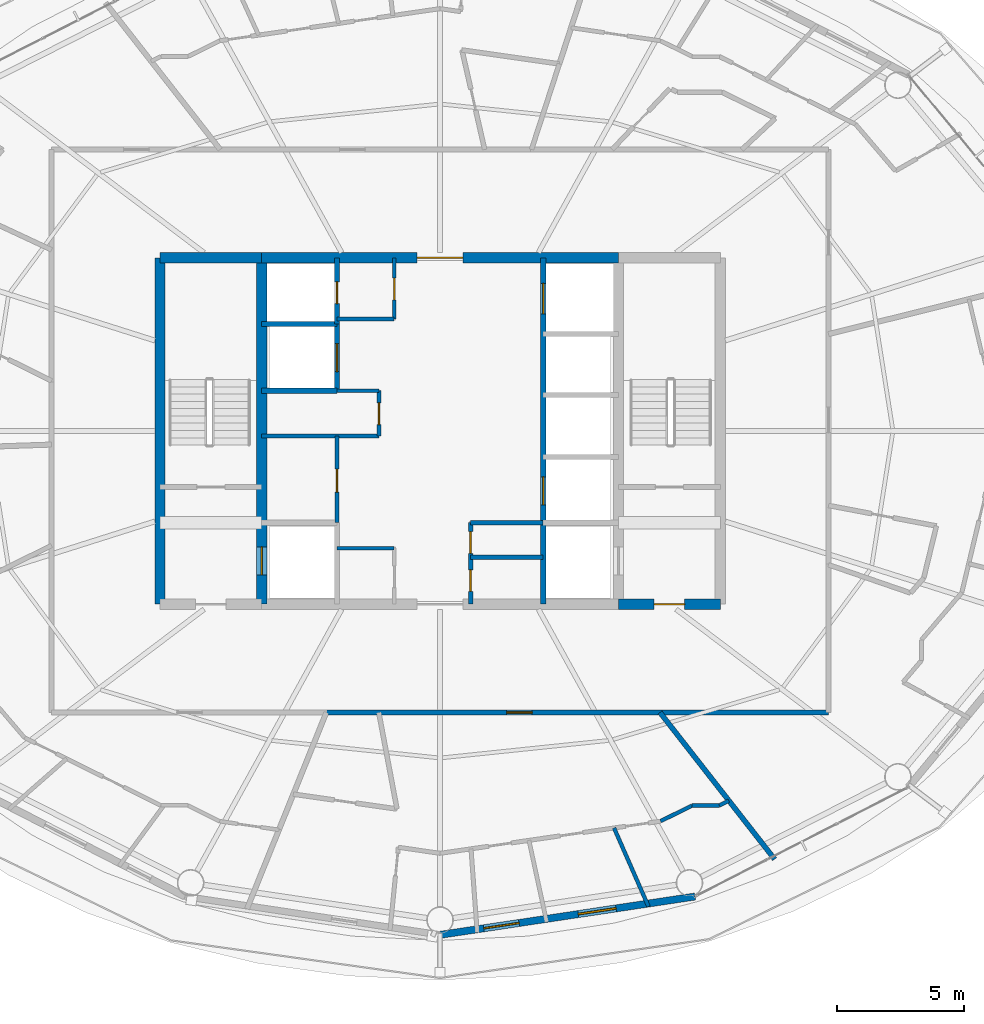
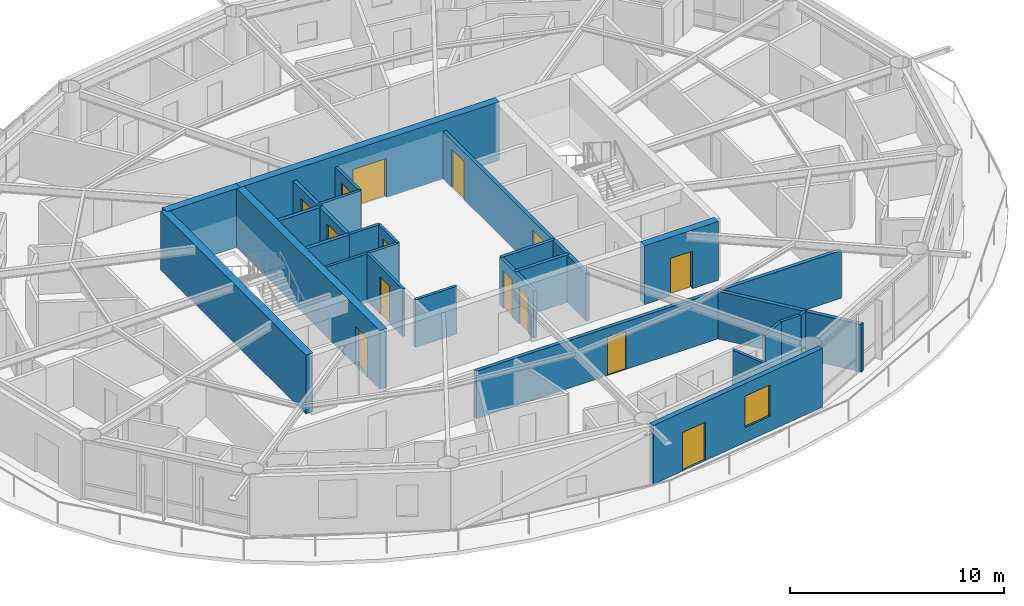
# One storey, part 17 of 23: 28 walls, 14 doors, 1 window, 15 openings.
"""IFC4 building model written with IfcOpenShell, lengths in metres."""

import ifcopenshell
import ifcopenshell.guid

model = None  # the IFC model being written
_history = None  # IfcOwnerHistory: only IFC2X3 demands one
_inside = {}  # id of a spatial element -> (the spatial element, [elements in it])
_under = {}  # id of a project, library or spatial element -> (it, [spatial elements below it])
_declared = {}  # id of a project -> (the project, [libraries it declares])
_typed = {}  # id of a type object -> (the type object, [elements of that type])
_made_of = {}  # id of a material, layer set ... -> (it, [elements and type objects made of it])


def new_model(schema):
    """Start an empty IFC model of exactly this schema.

    Asked for "IFC4X3", IfcOpenShell would pick the latest addendum, in which some entities
    have other attributes; the version numbers below select the first issue.
    IFC2X3 requires an IfcOwnerHistory on every rooted entity: one is made here for all.
    """
    global model, _history
    if schema == "IFC4X3":
        model = ifcopenshell.file(schema_version=(4, 3, 0, 0))
    else:
        model = ifcopenshell.file(schema=schema)
    _inside.clear()
    _under.clear()
    _declared.clear()
    _typed.clear()
    _made_of.clear()
    _history = None
    if model.schema == "IFC2X3":
        org = make("IfcOrganization", Name="unknown")
        user = make(
            "IfcPersonAndOrganization",
            ThePerson=make("IfcPerson", FamilyName="unknown"),
            TheOrganization=org,
        )
        app = make(
            "IfcApplication",
            ApplicationDeveloper=org,
            Version="unknown",
            ApplicationFullName="unknown",
            ApplicationIdentifier="unknown",
        )
        _history = make(
            "IfcOwnerHistory",
            OwningUser=user,
            OwningApplication=app,
            ChangeAction="ADDED",
            CreationDate=0,
        )
    return model


def make(cls, **values):
    """One entity of the class cls with the attributes given. An attribute that is None is left unset."""
    return model.create_entity(
        cls, **{name: value for name, value in values.items() if value is not None}
    )


def rooted(cls, **values):
    """An entity with a GlobalId (a new one), such as an element, a storey or a relation."""
    return make(cls, GlobalId=ifcopenshell.guid.new(), OwnerHistory=_history, **values)


def si_unit(unit_type, name, prefix=None):
    """IfcSIUnit, for example si_unit("LENGTHUNIT", "METRE", prefix="MILLI")."""
    return make("IfcSIUnit", UnitType=unit_type, Prefix=prefix, Name=name)


def assignment(units):
    """IfcUnitAssignment: the units of a project."""
    return None if units is None else make("IfcUnitAssignment", Units=units)


def point(xyz):
    """IfcCartesianPoint."""
    return None if xyz is None else make("IfcCartesianPoint", Coordinates=xyz)


def direction(xyz):
    """IfcDirection."""
    return None if xyz is None else make("IfcDirection", DirectionRatios=xyz)


def frame(location, z_axis=None, x_axis=None):
    """IfcAxis2Placement3D, a coordinate frame: its origin and axes. An axis left out is left unset."""
    return make(
        "IfcAxis2Placement3D",
        Location=point(location),
        Axis=direction(z_axis),
        RefDirection=direction(x_axis),
    )


def frame_2d(location, x_axis=None):
    """IfcAxis2Placement2D, a coordinate frame in the plane: its origin and x axis."""
    return make(
        "IfcAxis2Placement2D", Location=point(location), RefDirection=direction(x_axis)
    )


def origin():
    """The frame at (0, 0, 0) with its axes left unset."""
    return frame((0.0, 0.0, 0.0))


def place(relative_to, where):
    """IfcLocalPlacement: puts the frame where relative to a parent placement (None: the world)."""
    return make(
        "IfcLocalPlacement", PlacementRelTo=relative_to, RelativePlacement=where
    )


def context(
    kind, dimensions, precision=None, world=None, true_north=None, identifier=None
):
    """IfcGeometricRepresentationContext, for example the 3D "Model" context."""
    return make(
        "IfcGeometricRepresentationContext",
        ContextIdentifier=identifier,
        ContextType=kind,
        CoordinateSpaceDimension=dimensions,
        Precision=precision,
        WorldCoordinateSystem=world,
        TrueNorth=true_north,
    )


def subcontext(parent, identifier, kind, view, scale=None):
    """IfcGeometricRepresentationSubContext, for example "Body" below "Model"."""
    return make(
        "IfcGeometricRepresentationSubContext",
        ContextIdentifier=identifier,
        ContextType=kind,
        ParentContext=parent,
        TargetScale=scale,
        TargetView=view,
    )


def project(units=None, contexts=None):
    """IfcProject with its units and contexts."""
    return rooted(
        "IfcProject",
        Name="project",
        RepresentationContexts=contexts,
        UnitsInContext=assignment(units),
    )


def spatial(cls, under=None, at=None, **own):
    """A site, building, storey or space (cls), placed at a placement, below another one or the project."""
    s = rooted(cls, ObjectPlacement=at, **own)
    if under is not None:
        _under.setdefault(under.id(), (under, []))[1].append(s)
    return s


def profile(cls, at=None, kind="AREA", **sizes):
    """A parametric profile (cls). Its sizes go by their IFC names, for example OverallWidth=200.0."""
    return make(cls, ProfileType=kind, Position=at, **sizes)


def rectangle(**sizes):
    """IfcRectangleProfileDef."""
    return profile("IfcRectangleProfileDef", **sizes)


def extrude(swept, where, along, depth):
    """IfcExtrudedAreaSolid: the profile swept, set in the frame where, extruded along a direction by depth."""
    return make(
        "IfcExtrudedAreaSolid",
        SweptArea=swept,
        Position=where,
        ExtrudedDirection=direction(along),
        Depth=depth,
    )


def shape(context_of_items, identifier, shape_type, items):
    """IfcShapeRepresentation: the items that make up one representation, for example the "Body"."""
    return make(
        "IfcShapeRepresentation",
        ContextOfItems=context_of_items,
        RepresentationIdentifier=identifier,
        RepresentationType=shape_type,
        Items=items,
    )


def material(Name=None, Category=None):
    """IfcMaterial."""
    return make("IfcMaterial", Name=Name, Category=Category)


def layer(
    of_material, thickness, ventilated=None, Name=None, Category=None, Priority=None
):
    """IfcMaterialLayer: one layer of a wall or slab, of a material (None: an air gap)."""
    return make(
        "IfcMaterialLayer",
        Material=of_material,
        LayerThickness=thickness,
        IsVentilated=ventilated,
        Name=Name,
        Category=Category,
        Priority=Priority,
    )


def layer_set(layers, Name=None):
    """IfcMaterialLayerSet."""
    return make("IfcMaterialLayerSet", MaterialLayers=layers, LayerSetName=Name)


def made_of(thing, what):
    """Note that an element or type object is made of a material, layer set ...; save() writes the relation."""
    if what is not None:
        _made_of.setdefault(what.id(), (what, []))[1].append(thing)
    return thing


def type_object(cls, material=None, **own):
    """A type object (cls), such as IfcWallType, which elements share."""
    return made_of(rooted(cls, **own), material)


def element(
    cls,
    number,
    at=None,
    inside=None,
    cuts=None,
    type_object=None,
    material=None,
    context=None,
    identifier="Body",
    shape_type=None,
    held_by="IfcProductDefinitionShape",
    body=None,
    shapes=None,
    **own,
):
    """One element of the class cls, such as IfcWall. Its Tag is "e" and its number.

    at: its placement. inside: the storey or other place that contains it. cuts: it is an
    opening in that element (IfcRelVoidsElement). A single representation is given by context,
    identifier, shape_type and body (its items); several are given by shapes. held_by: the class
    of the entity that holds the representations. save() writes the other relations.
    """
    e = rooted(cls, Tag="e%d" % number, ObjectPlacement=at, **own)
    if body is not None:
        shapes = [shape(context, identifier, shape_type, body)]
    if shapes is not None:
        e.Representation = make(held_by, Representations=shapes)
    if inside is not None:
        _inside.setdefault(inside.id(), (inside, []))[1].append(e)
    if cuts is not None:
        rooted(
            "IfcRelVoidsElement", RelatingBuildingElement=cuts, RelatedOpeningElement=e
        )
    if type_object is not None:
        _typed.setdefault(type_object.id(), (type_object, []))[1].append(e)
    return made_of(e, material)


def fill(opening, filler):
    """IfcRelFillsElement: the door or window that sits in an opening."""
    return rooted(
        "IfcRelFillsElement",
        RelatingOpeningElement=opening,
        RelatedBuildingElement=filler,
    )


def aggregate(whole, parts):
    """IfcRelAggregates: a whole, such as a stair, and the parts it consists of."""
    return rooted("IfcRelAggregates", RelatingObject=whole, RelatedObjects=parts)


def save(model, path):
    """Write the relations noted so far, then the file.

    IfcRelAggregates (storeys below a building ...), IfcRelContainedInSpatialStructure (elements
    in a storey), IfcRelDefinesByType, IfcRelAssociatesMaterial and IfcRelDeclares: one each for
    every whole, place, type object, material and project.
    """
    for whole, parts in _under.values():
        aggregate(whole, parts)
    for where, things in _inside.values():
        rooted(
            "IfcRelContainedInSpatialStructure",
            RelatedElements=things,
            RelatingStructure=where,
        )
    for kind, things in _typed.values():
        rooted("IfcRelDefinesByType", RelatedObjects=things, RelatingType=kind)
    for what, things in _made_of.values():
        rooted("IfcRelAssociatesMaterial", RelatedObjects=things, RelatingMaterial=what)
    for by, libraries in _declared.values():
        rooted("IfcRelDeclares", RelatingContext=by, RelatedDefinitions=libraries)
    model.write(path)


model = new_model("IFC4")

# Units and contexts
model_context = context("Model", 3, precision=1e-05, world=origin(), true_north=direction((0.0, 1.0)))
body_context = subcontext(model_context, "Body", "Model", "MODEL_VIEW")
ifc_project = project(units=[si_unit("LENGTHUNIT", "METRE"), si_unit("AREAUNIT", "SQUARE_METRE"), si_unit("VOLUMEUNIT", "CUBIC_METRE"), si_unit("PLANEANGLEUNIT", "RADIAN"), si_unit("MASSUNIT", "GRAM", prefix="KILO")], contexts=[model_context])

# Site, building, storey
site_placement = place(None, origin())
site = spatial("IfcSite", under=ifc_project, at=site_placement, CompositionType="ELEMENT")
building_placement = place(site_placement, origin())
building = spatial("IfcBuilding", under=site, at=building_placement, Name="Sarneth Arch Tower", CompositionType="ELEMENT")
storey_placement = place(building_placement, frame((0.0, 0.0, 242.39990234375)))
storey = spatial("IfcBuildingStorey", under=building, at=storey_placement, Name="L62", CompositionType="ELEMENT", Elevation=242.39990234375)

# Wall, opening, door
ifc_material_1 = material(Name="Concrete C50/60", Category="concrete")
ifc_layer_1 = layer(ifc_material_1, 0.39990234375)
ifc_layer_set_1 = layer_set([ifc_layer_1], Name="Concrete C50/60")
wall_type_1 = type_object("IfcWallType", Name="WALL-CORE-400", PredefinedType="SHEAR", material=ifc_layer_set_1)
wall_1_placement = place(storey_placement, frame((55.0, 35.199951171875, 0.0), z_axis=(0.0, 0.0, 1.0), x_axis=(1.0, 0.0, 0.0)))
wall_1 = element("IfcWall", 1, at=wall_1_placement, inside=storey, type_object=wall_type_1, Name="L62 Core shear wall S-E", PredefinedType="SHEAR", context=body_context, shape_type="SweptSolid", body=[
    extrude(rectangle(XDim=4.0, YDim=0.39990234375, at=frame_2d((2.0, 0.0))), origin(), (0.0, 0.0, 1.0), 3.360107421875),
])
opening_1_placement = place(wall_1_placement, frame((1.39990234375, 0.0, 0.0)))
opening_1 = element("IfcOpeningElement", 2, at=opening_1_placement, cuts=wall_1, Name="Opening FD-02", PredefinedType="OPENING", context=body_context, shape_type="SweptSolid", body=[
    extrude(rectangle(XDim=1.199951171875, YDim=2.14990234375, at=frame_2d((0.60009765625, 1.074951171875))), frame((0.0, 0.2099609375, 0.0), z_axis=(0.0, -1.0, 0.0), x_axis=(1.0, 0.0, 0.0)), (0.0, 0.0, 1.0), 0.419921875),
])
ifc_material_2 = material(Name="Galvanised Steel S275 fire door set", Category="steel")
door_type_1 = type_object("IfcDoorType", Name="DR-FD90-1200", OperationType="SINGLE_SWING_LEFT", PredefinedType="DOOR", material=ifc_material_2)
door_1_placement = place(opening_1_placement, origin())
door_1 = element("IfcDoor", 3, at=door_1_placement, inside=storey, type_object=door_type_1, Name="L62 Firefighting lobby 2 exit door", OperationType="SINGLE_SWING_RIGHT", OverallHeight=2.14990234375, OverallWidth=1.199951171875, PredefinedType="DOOR", context=body_context, shape_type="SweptSolid", body=[
    extrude(rectangle(XDim=1.199951171875, YDim=2.14990234375, at=frame_2d((0.60009765625, 1.074951171875))), frame((0.0, 0.02490234375, 0.0), z_axis=(0.0, -1.0, 0.0), x_axis=(1.0, 0.0, 0.0)), (0.0, 0.0, 1.0), 0.050048828125),
])
fill(opening_1, door_1)

# Wall
wall_2_placement = place(storey_placement, frame((37.0, 48.800048828125, 0.0), z_axis=(0.0, 0.0, 1.0), x_axis=(1.0, 0.0, 0.0)))
element("IfcWall", 4, at=wall_2_placement, inside=storey, type_object=wall_type_1, Name="L62 Core shear wall N-W", PredefinedType="SHEAR", context=body_context, shape_type="SweptSolid", body=[
    extrude(rectangle(XDim=4.0, YDim=0.39990234375, at=frame_2d((2.0, 0.0))), origin(), (0.0, 0.0, 1.0), 3.360107421875),
])

# Wall, opening, door
wall_3_placement = place(storey_placement, frame((41.0, 48.800048828125, 0.0), z_axis=(0.0, 0.0, 1.0), x_axis=(1.0, 0.0, 0.0)))
wall_3 = element("IfcWall", 5, at=wall_3_placement, inside=storey, type_object=wall_type_1, Name="L62 Core shear wall N-M", PredefinedType="SHEAR", context=body_context, shape_type="SweptSolid", body=[
    extrude(rectangle(XDim=14.0, YDim=0.39990234375, at=frame_2d((7.0, 0.0))), origin(), (0.0, 0.0, 1.0), 3.360107421875),
])
opening_2_placement = place(wall_3_placement, frame((6.10009765625, 0.0, 0.0)))
opening_2 = element("IfcOpeningElement", 6, at=opening_2_placement, cuts=wall_3, Name="Opening FD-01", PredefinedType="OPENING", context=body_context, shape_type="SweptSolid", body=[
    extrude(rectangle(XDim=1.800048828125, YDim=2.25, at=frame_2d((0.89990234375, 1.125))), frame((0.0, 0.2099609375, 0.0), z_axis=(0.0, -1.0, 0.0), x_axis=(1.0, 0.0, 0.0)), (0.0, 0.0, 1.0), 0.419921875),
])
ifc_material_3 = material(Name="Galvanised Steel S275 fire door set", Category="steel")
door_type_2 = type_object("IfcDoorType", Name="DR-FD90-1800", OperationType="DOUBLE_DOOR_SINGLE_SWING", PredefinedType="DOOR", material=ifc_material_3)
door_2_placement = place(opening_2_placement, origin())
door_2 = element("IfcDoor", 7, at=door_2_placement, inside=storey, type_object=door_type_2, Name="L62 Central lift lobby north door", OperationType="DOUBLE_DOOR_SINGLE_SWING", OverallHeight=2.25, OverallWidth=1.800048828125, PredefinedType="DOOR", context=body_context, shape_type="SweptSolid", body=[
    extrude(rectangle(XDim=1.800048828125, YDim=2.25, at=frame_2d((0.89990234375, 1.125))), frame((0.0, 0.02490234375, 0.0), z_axis=(0.0, -1.0, 0.0), x_axis=(1.0, 0.0, 0.0)), (0.0, 0.0, 1.0), 0.050048828125),
])
fill(opening_2, door_2)

# Wall
wall_4_placement = place(storey_placement, frame((37.0, 35.199951171875, 0.0), z_axis=(0.0, 0.0, 1.0), x_axis=(0.0, 1.0, 0.0)))
element("IfcWall", 8, at=wall_4_placement, inside=storey, type_object=wall_type_1, Name="L62 Core shear wall W", PredefinedType="SHEAR", context=body_context, shape_type="SweptSolid", body=[
    extrude(rectangle(XDim=13.60009765625, YDim=0.39990234375, at=frame_2d((6.800048828125, 0.0))), origin(), (0.0, 0.0, 1.0), 3.360107421875),
])

# Wall, opening, door
wall_5_placement = place(storey_placement, frame((41.0, 35.199951171875, 0.0), z_axis=(0.0, 0.0, 1.0), x_axis=(0.0, 1.0, 0.0)))
wall_5 = element("IfcWall", 9, at=wall_5_placement, inside=storey, type_object=wall_type_1, Name="L62 Core shear wall WEB-W", PredefinedType="SHEAR", context=body_context, shape_type="SweptSolid", body=[
    extrude(rectangle(XDim=13.60009765625, YDim=0.39990234375, at=frame_2d((6.800048828125, 0.0))), origin(), (0.0, 0.0, 1.0), 3.360107421875),
])
opening_3_placement = place(wall_5_placement, frame((1.14990234375, 0.0, 0.0)))
opening_3 = element("IfcOpeningElement", 10, at=opening_3_placement, cuts=wall_5, Name="Opening LD-1", PredefinedType="OPENING", context=body_context, shape_type="SweptSolid", body=[
    extrude(rectangle(XDim=1.10009765625, YDim=2.199951171875, at=frame_2d((0.550048828125, 1.10009765625))), frame((0.0, 0.2099609375, 0.0), z_axis=(0.0, -1.0, 0.0), x_axis=(1.0, 0.0, 0.0)), (0.0, 0.0, 1.0), 0.419921875),
])
ifc_material_4 = material(Name="Brushed Stainless Steel 304 lift landing door", Category="steel")
door_type_3 = type_object("IfcDoorType", Name="DR-LIFT-SLIDE-1100", OperationType="SLIDING_TO_LEFT", PredefinedType="DOOR", material=ifc_material_4)
door_3_placement = place(opening_3_placement, origin())
door_3 = element("IfcDoor", 11, at=door_3_placement, inside=storey, type_object=door_type_3, Name="L62 Firefighting lift landing door FL-1", OperationType="SLIDING_TO_LEFT", OverallHeight=2.199951171875, OverallWidth=1.10009765625, PredefinedType="DOOR", context=body_context, shape_type="SweptSolid", body=[
    extrude(rectangle(XDim=1.10009765625, YDim=2.199951171875, at=frame_2d((0.550048828125, 1.10009765625))), frame((0.0, 0.02490234375, 0.0), z_axis=(0.0, -1.0, 0.0), x_axis=(1.0, 0.0, 0.0)), (0.0, 0.0, 1.0), 0.050048828125),
])
fill(opening_3, door_3)

ifc_material_5 = material(Name="Double steel-stud corridor fire wall", Category="steel")
ifc_layer_2 = layer(ifc_material_5, 0.18994140625)
ifc_layer_set_2 = layer_set([ifc_layer_2], Name="Double steel-stud corridor fire wall")
wall_type_2 = type_object("IfcWallType", Name="WALL-CORR-190", PredefinedType="PARTITIONING", material=ifc_layer_set_2)
wall_6_placement = place(storey_placement, frame((63.25, 30.949951171875, 0.0), z_axis=(0.0, 0.0, 1.0), x_axis=(-1.0, 0.0, 0.0)))
wall_6 = element("IfcWall", 12, at=wall_6_placement, inside=storey, type_object=wall_type_2, Name="L62 Interior partition W-L62-TP-014", PredefinedType="PARTITIONING", context=body_context, shape_type="SweptSolid", body=[
    extrude(rectangle(XDim=19.714599609375, YDim=0.18994140625, at=frame_2d((9.857421875, 0.0))), origin(), (0.0, 0.0, 1.0), 2.72021484375),
])
opening_4_placement = place(wall_6_placement, frame((11.63232421875, 0.0, 0.0)))
opening_4 = element("IfcOpeningElement", 13, at=opening_4_placement, cuts=wall_6, Name="Opening FD-08", PredefinedType="OPENING", context=body_context, shape_type="SweptSolid", body=[
    extrude(rectangle(XDim=1.0, YDim=2.199951171875, at=frame_2d((0.5, 1.10009765625))), frame((0.0, 0.10498046875, 0.0), z_axis=(0.0, -1.0, 0.0), x_axis=(1.0, 0.0, 0.0)), (0.0, 0.0, 1.0), 0.2099609375),
])
ifc_material_6 = material(Name="Hardwood timber acoustic fire door", Category="wood")
door_type_4 = type_object("IfcDoorType", Name="DR-FD60-1000", OperationType="SINGLE_SWING_LEFT", PredefinedType="DOOR", material=ifc_material_6)
door_4_placement = place(opening_4_placement, origin())
door_4 = element("IfcDoor", 14, at=door_4_placement, inside=storey, type_object=door_type_4, Name="L62 Interior door DR-L62-U5-ENT", OperationType="SINGLE_SWING_RIGHT", OverallHeight=2.199951171875, OverallWidth=1.0, PredefinedType="DOOR", context=body_context, shape_type="SweptSolid", body=[
    extrude(rectangle(XDim=1.0, YDim=2.199951171875, at=frame_2d((0.5, 1.10009765625))), frame((0.0, 0.02490234375, 0.0), z_axis=(0.0, -1.0, 0.0), x_axis=(1.0, 0.0, 0.0)), (0.0, 0.0, 1.0), 0.050048828125),
])
fill(opening_4, door_4)

# Wall, openings, door, window
ifc_material_7 = material(Name="Extruded terracotta rainscreen on Concrete C40/50 backing", Category="masonry")
ifc_layer_3 = layer(ifc_material_7, 0.280029296875)
ifc_layer_set_3 = layer_set([ifc_layer_3], Name="Extruded terracotta rainscreen on Concrete C40/50 backing")
wall_type_3 = type_object("IfcWallType", Name="WALL-EXT-TERRA-280", PredefinedType="SOLIDWALL", material=ifc_layer_set_3)
wall_7_placement = place(storey_placement, frame((48.0, 22.219970703125, 0.0), z_axis=(0.0, 0.0, 1.0), x_axis=(0.988882522213, 0.148698881169, 0.0)))
wall_7 = element("IfcWall", 15, at=wall_7_placement, inside=storey, type_object=wall_type_3, Name="L62 Terracotta perimeter wall 13", PredefinedType="SOLIDWALL", context=body_context, shape_type="SweptSolid", body=[
    extrude(rectangle(XDim=10.125244140625, YDim=0.280029296875, at=frame_2d((5.0625, 0.0))), origin(), (0.0, 0.0, 1.0), 3.360107421875),
])
opening_5_placement = place(wall_7_placement, frame((1.73583984375, 0.0, 0.0)))
opening_5 = element("IfcOpeningElement", 16, at=opening_5_placement, cuts=wall_7, Name="Opening BD-2", PredefinedType="OPENING", context=body_context, shape_type="SweptSolid", body=[
    extrude(rectangle(XDim=1.39990234375, YDim=2.199951171875, at=frame_2d((0.699951171875, 1.10009765625))), frame((0.0, 0.14990234375, 0.0), z_axis=(0.0, -1.0, 0.0), x_axis=(1.0, 0.0, 0.0)), (0.0, 0.0, 1.0), 0.300048828125),
])
opening_6_placement = place(wall_7_placement, frame((5.485107421875, 0.0, 0.85009765625)))
opening_6 = element("IfcOpeningElement", 17, at=opening_6_placement, cuts=wall_7, Name="Opening W-07", PredefinedType="OPENING", context=body_context, shape_type="SweptSolid", body=[
    extrude(rectangle(XDim=1.5, YDim=1.800048828125, at=frame_2d((0.75, 0.89990234375))), frame((0.0, 0.14990234375, 0.0), z_axis=(0.0, -1.0, 0.0), x_axis=(1.0, 0.0, 0.0)), (0.0, 0.0, 1.0), 0.300048828125),
])
ifc_material_8 = material(Name="Thermally broken Aluminium 6063-T6 and laminated safety glass", Category="aluminium")
door_type_5 = type_object("IfcDoorType", Name="DR-BALC-GLZ-1400", OperationType="SINGLE_SWING_LEFT", PredefinedType="DOOR", material=ifc_material_8)
door_5_placement = place(opening_5_placement, origin())
door_5 = element("IfcDoor", 18, at=door_5_placement, inside=storey, type_object=door_type_5, Name="L62 Balcony glazed door 13", OperationType="SINGLE_SWING_LEFT", OverallHeight=2.199951171875, OverallWidth=1.39990234375, PredefinedType="DOOR", context=body_context, shape_type="SweptSolid", body=[
    extrude(rectangle(XDim=1.39990234375, YDim=2.199951171875, at=frame_2d((0.699951171875, 1.10009765625))), frame((0.0, 0.02490234375, 0.0), z_axis=(0.0, -1.0, 0.0), x_axis=(1.0, 0.0, 0.0)), (0.0, 0.0, 1.0), 0.050048828125),
])
fill(opening_5, door_5)
ifc_material_9 = material(Name="Thermally broken Aluminium 6063-T6 and low-e laminated IGU", Category="aluminium")
window_type = type_object("IfcWindowType", Name="WIN-TWR-1500x1800", PartitioningType="SINGLE_PANEL", PredefinedType="WINDOW", material=ifc_material_9)
window_placement = place(opening_6_placement, origin())
window = element("IfcWindow", 19, at=window_placement, inside=storey, type_object=window_type, Name="L62 Exterior window 13A", OverallHeight=1.800048828125, OverallWidth=1.5, PartitioningType="SINGLE_PANEL", PredefinedType="WINDOW", context=body_context, shape_type="SweptSolid", body=[
    extrude(rectangle(XDim=1.5, YDim=1.800048828125, at=frame_2d((0.75, 0.89990234375))), frame((0.0, 0.030029296875, 0.0), z_axis=(0.0, -1.0, 0.0), x_axis=(1.0, 0.0, 0.0)), (0.0, 0.0, 1.0), 0.06005859375),
])
fill(opening_6, window)

# Wall, opening, door
ifc_material_10 = material(Name="Acoustic gypsum stud partition", Category="gypsum")
ifc_layer_4 = layer(ifc_material_10, 0.14990234375)
ifc_layer_set_4 = layer_set([ifc_layer_4], Name="Acoustic gypsum stud partition")
wall_type_4 = type_object("IfcWallType", Name="WALL-PART-150", PredefinedType="PARTITIONING", material=ifc_layer_set_4)
wall_8_placement = place(storey_placement, frame((43.949951171875, 38.39990234375, 0.0), z_axis=(0.0, 0.0, 1.0), x_axis=(0.0, 1.0, 0.0)))
wall_8 = element("IfcWall", 20, at=wall_8_placement, inside=storey, type_object=wall_type_4, Name="L62 Interior partition W-L62-RECPL-E1", PredefinedType="PARTITIONING", context=body_context, shape_type="SweptSolid", body=[
    extrude(rectangle(XDim=3.400146484375, YDim=0.14990234375, at=frame_2d((1.7001953125, 0.0))), origin(), (0.0, 0.0, 1.0), 2.72021484375),
])
opening_7_placement = place(wall_8_placement, frame((1.199951171875, 0.0, 0.0)))
opening_7 = element("IfcOpeningElement", 21, at=opening_7_placement, cuts=wall_8, Name="Opening FD-10", PredefinedType="OPENING", context=body_context, shape_type="SweptSolid", body=[
    extrude(rectangle(XDim=0.89990234375, YDim=2.14990234375, at=frame_2d((0.449951171875, 1.074951171875))), frame((0.0, 0.0849609375, 0.0), z_axis=(0.0, -1.0, 0.0), x_axis=(1.0, 0.0, 0.0)), (0.0, 0.0, 1.0), 0.169921875),
])
ifc_material_11 = material(Name="Galvanised Steel S275 riser/service fire door", Category="steel")
door_type_6 = type_object("IfcDoorType", Name="DR-FD60-900", OperationType="SINGLE_SWING_LEFT", PredefinedType="DOOR", material=ifc_material_11)
door_6_placement = place(opening_7_placement, origin())
door_6 = element("IfcDoor", 22, at=door_6_placement, inside=storey, type_object=door_type_6, Name="L62 Interior door DR-L62-RECPL1", OperationType="SINGLE_SWING_LEFT", OverallHeight=2.14990234375, OverallWidth=0.89990234375, PredefinedType="DOOR", context=body_context, shape_type="SweptSolid", body=[
    extrude(rectangle(XDim=0.89990234375, YDim=2.14990234375, at=frame_2d((0.449951171875, 1.074951171875))), frame((0.0, 0.02490234375, 0.0), z_axis=(0.0, -1.0, 0.0), x_axis=(1.0, 0.0, 0.0)), (0.0, 0.0, 1.0), 0.050048828125),
])
fill(opening_7, door_6)

# Walls
wall_9_placement = place(storey_placement, frame((41.0, 41.800048828125, 0.0), z_axis=(0.0, 0.0, 1.0), x_axis=(1.0, 0.0, 0.0)))
element("IfcWall", 23, at=wall_9_placement, inside=storey, type_object=wall_type_4, Name="L62 Interior partition W-L62-RECPL-S2", PredefinedType="PARTITIONING", context=body_context, shape_type="SweptSolid", body=[
    extrude(rectangle(XDim=4.60009765625, YDim=0.14990234375, at=frame_2d((2.300048828125, 0.0))), origin(), (0.0, 0.0, 1.0), 2.72021484375),
])
wall_10_placement = place(storey_placement, frame((43.949951171875, 43.580078125, 0.0), z_axis=(0.0, 0.0, 1.0), x_axis=(1.0, 0.0, 0.0)))
element("IfcWall", 24, at=wall_10_placement, inside=storey, type_object=wall_type_4, Name="L62 Interior partition W-L62-RECPL-N2", PredefinedType="PARTITIONING", context=body_context, shape_type="SweptSolid", body=[
    extrude(rectangle(XDim=1.650146484375, YDim=0.14990234375, at=frame_2d((0.8251953125, 0.0))), origin(), (0.0, 0.0, 1.0), 2.72021484375),
])

# Wall, opening, door
wall_11_placement = place(storey_placement, frame((45.60009765625, 41.800048828125, 0.0), z_axis=(0.0, 0.0, 1.0), x_axis=(0.0, 1.0, 0.0)))
wall_11 = element("IfcWall", 25, at=wall_11_placement, inside=storey, type_object=wall_type_4, Name="L62 Interior partition W-L62-RECPL-E2", PredefinedType="PARTITIONING", context=body_context, shape_type="SweptSolid", body=[
    extrude(rectangle(XDim=1.780029296875, YDim=0.14990234375, at=frame_2d((0.89013671875, 0.0))), origin(), (0.0, 0.0, 1.0), 2.72021484375),
])
opening_8_placement = place(wall_11_placement, frame((0.449951171875, 0.0, 0.0)))
opening_8 = element("IfcOpeningElement", 26, at=opening_8_placement, cuts=wall_11, Name="Opening FD-11", PredefinedType="OPENING", context=body_context, shape_type="SweptSolid", body=[
    extrude(rectangle(XDim=0.85009765625, YDim=2.14990234375, at=frame_2d((0.425048828125, 1.074951171875))), frame((0.0, 0.0849609375, 0.0), z_axis=(0.0, -1.0, 0.0), x_axis=(1.0, 0.0, 0.0)), (0.0, 0.0, 1.0), 0.169921875),
])
ifc_material_12 = material(Name="Galvanised Steel S275 closet fire door", Category="steel")
door_type_7 = type_object("IfcDoorType", Name="DR-FD60-850", OperationType="SINGLE_SWING_LEFT", PredefinedType="DOOR", material=ifc_material_12)
door_7_placement = place(opening_8_placement, origin())
door_7 = element("IfcDoor", 27, at=door_7_placement, inside=storey, type_object=door_type_7, Name="L62 Interior door DR-L62-RECPL2", OperationType="SINGLE_SWING_RIGHT", OverallHeight=2.14990234375, OverallWidth=0.85009765625, PredefinedType="DOOR", context=body_context, shape_type="SweptSolid", body=[
    extrude(rectangle(XDim=0.85009765625, YDim=2.14990234375, at=frame_2d((0.425048828125, 1.074951171875))), frame((0.0, 0.02490234375, 0.0), z_axis=(0.0, -1.0, 0.0), x_axis=(1.0, 0.0, 0.0)), (0.0, 0.0, 1.0), 0.050048828125),
])
fill(opening_8, door_7)

# Walls
for number, where, z_axis, x_axis, name in (
    (28, (43.949951171875, 37.39990234375, 0.0), (0.0, 0.0, 1.0), (1.0, 0.0, 0.0), "L62 Interior partition W-L62-CSUP1-N"),
    (29, (43.949951171875, 46.39990234375, 0.0), (0.0, 0.0, 1.0), (1.0, 0.0, 0.0), "L62 Interior partition W-L62-CSUP2-S"),
):
    element("IfcWall", number, at=place(storey_placement, frame(where, z_axis=z_axis, x_axis=x_axis)), inside=storey, type_object=wall_type_4, Name=name, PredefinedType="PARTITIONING", context=body_context, shape_type="SweptSolid", body=[
        extrude(rectangle(XDim=2.25, YDim=0.14990234375, at=frame_2d((1.125, 0.0))), origin(), (0.0, 0.0, 1.0), 2.72021484375),
    ])

# Wall, opening, door
wall_12_placement = place(storey_placement, frame((46.199951171875, 46.39990234375, 0.0), z_axis=(0.0, 0.0, 1.0), x_axis=(0.0, 1.0, 0.0)))
wall_12 = element("IfcWall", 30, at=wall_12_placement, inside=storey, type_object=wall_type_4, Name="L62 Interior partition W-L62-CSUP2-E", PredefinedType="PARTITIONING", context=body_context, shape_type="SweptSolid", body=[
    extrude(rectangle(XDim=2.400146484375, YDim=0.14990234375, at=frame_2d((1.2001953125, 0.0))), origin(), (0.0, 0.0, 1.0), 2.72021484375),
])
opening_9_placement = place(wall_12_placement, frame((0.75, 0.0, 0.0)))
opening_9 = element("IfcOpeningElement", 31, at=opening_9_placement, cuts=wall_12, Name="Opening FD-11", PredefinedType="OPENING", context=body_context, shape_type="SweptSolid", body=[
    extrude(rectangle(XDim=0.85009765625, YDim=2.14990234375, at=frame_2d((0.425048828125, 1.074951171875))), frame((0.0, 0.0849609375, 0.0), z_axis=(0.0, -1.0, 0.0), x_axis=(1.0, 0.0, 0.0)), (0.0, 0.0, 1.0), 0.169921875),
])
door_8_placement = place(opening_9_placement, origin())
door_8 = element("IfcDoor", 32, at=door_8_placement, inside=storey, type_object=door_type_7, Name="L62 Interior door DR-L62-CSUP2", OperationType="SINGLE_SWING_RIGHT", OverallHeight=2.14990234375, OverallWidth=0.85009765625, PredefinedType="DOOR", context=body_context, shape_type="SweptSolid", body=[
    extrude(rectangle(XDim=0.85009765625, YDim=2.14990234375, at=frame_2d((0.425048828125, 1.074951171875))), frame((0.0, 0.02490234375, 0.0), z_axis=(0.0, -1.0, 0.0), x_axis=(1.0, 0.0, 0.0)), (0.0, 0.0, 1.0), 0.050048828125),
])
fill(opening_9, door_8)

# Walls
wall_13_placement = place(storey_placement, frame((54.83056640625, 26.416015625, 0.0), z_axis=(0.0, 0.0, 1.0), x_axis=(0.401469388376, -0.915872442099, 0.0)))
element("IfcWall", 33, at=wall_13_placement, inside=storey, type_object=wall_type_4, Name="L62 Interior partition W-L62-TP-113", PredefinedType="PARTITIONING", context=body_context, shape_type="SweptSolid", body=[
    extrude(rectangle(XDim=3.365966796875, YDim=0.14990234375, at=frame_2d((1.68310546875, 0.0))), origin(), (0.0, 0.0, 1.0), 2.72021484375),
])
wall_14_placement = place(storey_placement, frame((57.898681640625, 27.300048828125, 0.0), z_axis=(0.0, 0.0, 1.0), x_axis=(-0.895584310315, -0.444891833053, 0.0)))
element("IfcWall", 34, at=wall_14_placement, inside=storey, type_object=wall_type_4, Name="L62 Interior partition W-L62-TP-108", PredefinedType="PARTITIONING", context=body_context, shape_type="SweptSolid", body=[
    extrude(rectangle(XDim=1.388916015625, YDim=0.14990234375, at=frame_2d((0.6943359375, 0.0))), origin(), (0.0, 0.0, 1.0), 2.72021484375),
])
wall_15_placement = place(storey_placement, frame((58.9638671875, 27.300048828125, 0.0), z_axis=(0.0, 0.0, 1.0), x_axis=(-1.0, 0.0, 0.0)))
element("IfcWall", 35, at=wall_15_placement, inside=storey, type_object=wall_type_4, Name="L62 Interior partition W-L62-TP-107", PredefinedType="PARTITIONING", context=body_context, shape_type="SweptSolid", body=[
    extrude(rectangle(XDim=1.065185546875, YDim=0.14990234375, at=frame_2d((0.53271484375, 0.0))), origin(), (0.0, 0.0, 1.0), 2.72021484375),
])
wall_16_placement = place(storey_placement, frame((59.339111328125, 27.486572265625, 0.0), z_axis=(0.0, 0.0, 1.0), x_axis=(-0.895473432012, -0.445114965554, 0.0)))
element("IfcWall", 36, at=wall_16_placement, inside=storey, type_object=wall_type_4, Name="L62 Interior partition W-L62-TP-106", PredefinedType="PARTITIONING", context=body_context, shape_type="SweptSolid", body=[
    extrude(rectangle(XDim=0.4189453125, YDim=0.14990234375, at=frame_2d((0.20947265625, 0.0))), origin(), (0.0, 0.0, 1.0), 2.72021484375),
])
ifc_material_13 = material(Name="Moisture-resistant plumbing chase wall", Category="gypsum")
ifc_layer_5 = layer(ifc_material_13, 0.179931640625)
ifc_layer_set_5 = layer_set([ifc_layer_5], Name="Moisture-resistant plumbing chase wall")
wall_type_5 = type_object("IfcWallType", Name="WALL-PLUMB-180", PredefinedType="PLUMBINGWALL", material=ifc_layer_set_5)
for number, where, z_axis, x_axis, name in (
    (37, (49.199951171875, 37.050048828125, 0.0), (0.0, 0.0, 1.0), (1.0, 0.0, 0.0), "L62 Interior partition W-L62-AWC-M"),
    (38, (49.199951171875, 38.39990234375, 0.0), (0.0, 0.0, 1.0), (1.0, 0.0, 0.0), "L62 Interior partition W-L62-AWC-N"),
):
    element("IfcWall", number, at=place(storey_placement, frame(where, z_axis=z_axis, x_axis=x_axis)), inside=storey, type_object=wall_type_5, Name=name, PredefinedType="PLUMBINGWALL", context=body_context, shape_type="SweptSolid", body=[
        extrude(rectangle(XDim=2.85009765625, YDim=0.179931640625, at=frame_2d((1.425048828125, 0.0))), origin(), (0.0, 0.0, 1.0), 2.72021484375),
    ])

# Wall, openings, doors
wall_17_placement = place(storey_placement, frame((49.199951171875, 35.199951171875, 0.0), z_axis=(0.0, 0.0, 1.0), x_axis=(0.0, 1.0, 0.0)))
wall_17 = element("IfcWall", 39, at=wall_17_placement, inside=storey, type_object=wall_type_5, Name="L62 Interior partition W-L62-AWC-W", PredefinedType="PLUMBINGWALL", context=body_context, shape_type="SweptSolid", body=[
    extrude(rectangle(XDim=3.199951171875, YDim=0.179931640625, at=frame_2d((1.60009765625, 0.0))), origin(), (0.0, 0.0, 1.0), 2.72021484375),
])
opening_10_placement = place(wall_17_placement, frame((0.5, 0.0, 0.0)))
opening_10 = element("IfcOpeningElement", 40, at=opening_10_placement, cuts=wall_17, Name="Opening ID-02", PredefinedType="OPENING", context=body_context, shape_type="SweptSolid", body=[
    extrude(rectangle(XDim=0.85009765625, YDim=2.10009765625, at=frame_2d((0.425048828125, 1.050048828125))), frame((0.0, 0.099853515625, 0.0), z_axis=(0.0, -1.0, 0.0), x_axis=(1.0, 0.0, 0.0)), (0.0, 0.0, 1.0), 0.199951171875),
])
opening_11_placement = place(wall_17_placement, frame((2.0, 0.0, 0.0)))
opening_11 = element("IfcOpeningElement", 41, at=opening_11_placement, cuts=wall_17, Name="Opening FD-11", PredefinedType="OPENING", context=body_context, shape_type="SweptSolid", body=[
    extrude(rectangle(XDim=0.85009765625, YDim=2.14990234375, at=frame_2d((0.425048828125, 1.074951171875))), frame((0.0, 0.099853515625, 0.0), z_axis=(0.0, -1.0, 0.0), x_axis=(1.0, 0.0, 0.0)), (0.0, 0.0, 1.0), 0.199951171875),
])
door_9_placement = place(opening_11_placement, origin())
door_9 = element("IfcDoor", 42, at=door_9_placement, inside=storey, type_object=door_type_7, Name="L62 Interior door DR-L62-CSUP3", OperationType="SINGLE_SWING_LEFT", OverallHeight=2.14990234375, OverallWidth=0.85009765625, PredefinedType="DOOR", context=body_context, shape_type="SweptSolid", body=[
    extrude(rectangle(XDim=0.85009765625, YDim=2.14990234375, at=frame_2d((0.425048828125, 1.074951171875))), frame((0.0, 0.02490234375, 0.0), z_axis=(0.0, -1.0, 0.0), x_axis=(1.0, 0.0, 0.0)), (0.0, 0.0, 1.0), 0.050048828125),
])
fill(opening_11, door_9)
ifc_material_14 = material(Name="Moisture-resistant bathroom timber door", Category="wood")
door_type_8 = type_object("IfcDoorType", Name="DR-INT-850", OperationType="SINGLE_SWING_RIGHT", PredefinedType="DOOR", material=ifc_material_14)
door_10_placement = place(opening_10_placement, origin())
door_10 = element("IfcDoor", 43, at=door_10_placement, inside=storey, type_object=door_type_8, Name="L62 Interior door DR-L62-AWC", OperationType="SINGLE_SWING_RIGHT", OverallHeight=2.10009765625, OverallWidth=0.85009765625, PredefinedType="DOOR", context=body_context, shape_type="SweptSolid", body=[
    extrude(rectangle(XDim=0.85009765625, YDim=2.10009765625, at=frame_2d((0.425048828125, 1.050048828125))), frame((0.0, 0.02490234375, 0.0), z_axis=(0.0, -1.0, 0.0), x_axis=(1.0, 0.0, 0.0)), (0.0, 0.0, 1.0), 0.050048828125),
])
fill(opening_10, door_10)

# Walls
ifc_material_15 = material(Name="Aerated concrete blockwork C25/30", Category="masonry")
ifc_layer_6 = layer(ifc_material_15, 0.199951171875)
ifc_layer_set_6 = layer_set([ifc_layer_6], Name="Aerated concrete blockwork C25/30")
wall_type_6 = type_object("IfcWallType", Name="WALL-SHAFT-200", PredefinedType="SOLIDWALL", material=ifc_layer_set_6)
wall_18_placement = place(storey_placement, frame((52.050048828125, 35.199951171875, 0.0), z_axis=(0.0, 0.0, 1.0), x_axis=(0.0, 1.0, 0.0)))
element("IfcWall", 44, at=wall_18_placement, inside=storey, type_object=wall_type_6, Name="L62 Interior partition W-L62-FL2-W", PredefinedType="SOLIDWALL", context=body_context, shape_type="SweptSolid", body=[
    extrude(rectangle(XDim=3.199951171875, YDim=0.199951171875, at=frame_2d((1.60009765625, 0.0))), origin(), (0.0, 0.0, 1.0), 2.72021484375),
])
wall_19_placement = place(storey_placement, frame((41.0, 46.199951171875, 0.0), z_axis=(0.0, 0.0, 1.0), x_axis=(1.0, 0.0, 0.0)))
element("IfcWall", 45, at=wall_19_placement, inside=storey, type_object=wall_type_6, Name="L62 Interior partition W-L62-RISER-S", PredefinedType="SOLIDWALL", context=body_context, shape_type="SweptSolid", body=[
    extrude(rectangle(XDim=2.949951171875, YDim=0.199951171875, at=frame_2d((1.47509765625, 0.0))), origin(), (0.0, 0.0, 1.0), 2.72021484375),
])

# Wall, opening, door
wall_20_placement = place(storey_placement, frame((43.949951171875, 46.199951171875, 0.0), z_axis=(0.0, 0.0, 1.0), x_axis=(0.0, 1.0, 0.0)))
wall_20 = element("IfcWall", 46, at=wall_20_placement, inside=storey, type_object=wall_type_6, Name="L62 Interior partition W-L62-RISER-E", PredefinedType="SOLIDWALL", context=body_context, shape_type="SweptSolid", body=[
    extrude(rectangle(XDim=2.60009765625, YDim=0.199951171875, at=frame_2d((1.300048828125, 0.0))), origin(), (0.0, 0.0, 1.0), 2.72021484375),
])
opening_12_placement = place(wall_20_placement, frame((0.800048828125, 0.0, 0.0)))
opening_12 = element("IfcOpeningElement", 47, at=opening_12_placement, cuts=wall_20, Name="Opening FD-11", PredefinedType="OPENING", context=body_context, shape_type="SweptSolid", body=[
    extrude(rectangle(XDim=0.85009765625, YDim=2.14990234375, at=frame_2d((0.425048828125, 1.074951171875))), frame((0.0, 0.10986328125, 0.0), z_axis=(0.0, -1.0, 0.0), x_axis=(1.0, 0.0, 0.0)), (0.0, 0.0, 1.0), 0.219970703125),
])
door_11_placement = place(opening_12_placement, origin())
door_11 = element("IfcDoor", 48, at=door_11_placement, inside=storey, type_object=door_type_7, Name="L62 Lift landing door DR-L62-RISER", OperationType="SINGLE_SWING_LEFT", OverallHeight=2.14990234375, OverallWidth=0.85009765625, PredefinedType="DOOR", context=body_context, shape_type="SweptSolid", body=[
    extrude(rectangle(XDim=0.85009765625, YDim=2.14990234375, at=frame_2d((0.425048828125, 1.074951171875))), frame((0.0, 0.02490234375, 0.0), z_axis=(0.0, -1.0, 0.0), x_axis=(1.0, 0.0, 0.0)), (0.0, 0.0, 1.0), 0.050048828125),
])
fill(opening_12, door_11)

# Wall
wall_21_placement = place(storey_placement, frame((41.0, 43.580078125, 0.0), z_axis=(0.0, 0.0, 1.0), x_axis=(1.0, 0.0, 0.0)))
element("IfcWall", 49, at=wall_21_placement, inside=storey, type_object=wall_type_6, Name="L62 Interior partition W-L62-PM1-S", PredefinedType="SOLIDWALL", context=body_context, shape_type="SweptSolid", body=[
    extrude(rectangle(XDim=2.949951171875, YDim=0.199951171875, at=frame_2d((1.47509765625, 0.0))), origin(), (0.0, 0.0, 1.0), 2.72021484375),
])

# Wall, opening, door
wall_22_placement = place(storey_placement, frame((43.949951171875, 43.580078125, 0.0), z_axis=(0.0, 0.0, 1.0), x_axis=(0.0, 1.0, 0.0)))
wall_22 = element("IfcWall", 50, at=wall_22_placement, inside=storey, type_object=wall_type_6, Name="L62 Interior partition W-L62-PM1-FRONT", PredefinedType="SOLIDWALL", context=body_context, shape_type="SweptSolid", body=[
    extrude(rectangle(XDim=2.619873046875, YDim=0.199951171875, at=frame_2d((1.31005859375, 0.0))), origin(), (0.0, 0.0, 1.0), 2.72021484375),
])
opening_13_placement = place(wall_22_placement, frame((0.75, 0.0, 0.0)))
opening_13 = element("IfcOpeningElement", 51, at=opening_13_placement, cuts=wall_22, Name="Opening LD-1", PredefinedType="OPENING", context=body_context, shape_type="SweptSolid", body=[
    extrude(rectangle(XDim=1.10009765625, YDim=2.199951171875, at=frame_2d((0.550048828125, 1.10009765625))), frame((0.0, 0.10986328125, 0.0), z_axis=(0.0, -1.0, 0.0), x_axis=(1.0, 0.0, 0.0)), (0.0, 0.0, 1.0), 0.219970703125),
])
door_12_placement = place(opening_13_placement, origin())
door_12 = element("IfcDoor", 52, at=door_12_placement, inside=storey, type_object=door_type_3, Name="L62 Lift landing door DR-L62-LD-PM1", OperationType="SLIDING_TO_LEFT", OverallHeight=2.199951171875, OverallWidth=1.10009765625, PredefinedType="DOOR", context=body_context, shape_type="SweptSolid", body=[
    extrude(rectangle(XDim=1.10009765625, YDim=2.199951171875, at=frame_2d((0.550048828125, 1.10009765625))), frame((0.0, 0.02490234375, 0.0), z_axis=(0.0, -1.0, 0.0), x_axis=(1.0, 0.0, 0.0)), (0.0, 0.0, 1.0), 0.050048828125),
])
fill(opening_13, door_12)

# Wall, openings, doors
wall_23_placement = place(storey_placement, frame((52.050048828125, 38.39990234375, 0.0), z_axis=(0.0, 0.0, 1.0), x_axis=(0.0, 1.0, 0.0)))
wall_23 = element("IfcWall", 53, at=wall_23_placement, inside=storey, type_object=wall_type_6, Name="L62 Interior partition W-L62-EASTBANK-FRONT", PredefinedType="SOLIDWALL", context=body_context, shape_type="SweptSolid", body=[
    extrude(rectangle(XDim=10.400146484375, YDim=0.199951171875, at=frame_2d((5.2001953125, 0.0))), origin(), (0.0, 0.0, 1.0), 2.72021484375),
])
opening_14_placement = place(wall_23_placement, frame((0.699951171875, 0.0, 0.0)))
opening_14 = element("IfcOpeningElement", 54, at=opening_14_placement, cuts=wall_23, Name="Opening LD-1", PredefinedType="OPENING", context=body_context, shape_type="SweptSolid", body=[
    extrude(rectangle(XDim=1.10009765625, YDim=2.199951171875, at=frame_2d((0.550048828125, 1.10009765625))), frame((0.0, 0.10986328125, 0.0), z_axis=(0.0, -1.0, 0.0), x_axis=(1.0, 0.0, 0.0)), (0.0, 0.0, 1.0), 0.219970703125),
])
opening_15_placement = place(wall_23_placement, frame((8.199951171875, 0.0, 0.0)))
opening_15 = element("IfcOpeningElement", 55, at=opening_15_placement, cuts=wall_23, Name="Opening LD-2", PredefinedType="OPENING", context=body_context, shape_type="SweptSolid", body=[
    extrude(rectangle(XDim=1.199951171875, YDim=2.199951171875, at=frame_2d((0.60009765625, 1.10009765625))), frame((0.0, 0.10986328125, 0.0), z_axis=(0.0, -1.0, 0.0), x_axis=(1.0, 0.0, 0.0)), (0.0, 0.0, 1.0), 0.219970703125),
])
door_13_placement = place(opening_14_placement, origin())
door_13 = element("IfcDoor", 56, at=door_13_placement, inside=storey, type_object=door_type_3, Name="L62 Lift landing door DR-L62-LD-PM2", OperationType="SLIDING_TO_LEFT", OverallHeight=2.199951171875, OverallWidth=1.10009765625, PredefinedType="DOOR", context=body_context, shape_type="SweptSolid", body=[
    extrude(rectangle(XDim=1.10009765625, YDim=2.199951171875, at=frame_2d((0.550048828125, 1.10009765625))), frame((0.0, 0.02490234375, 0.0), z_axis=(0.0, -1.0, 0.0), x_axis=(1.0, 0.0, 0.0)), (0.0, 0.0, 1.0), 0.050048828125),
])
fill(opening_14, door_13)
ifc_material_16 = material(Name="Brushed Stainless Steel 304 service lift door", Category="steel")
door_type_9 = type_object("IfcDoorType", Name="DR-LIFT-SLIDE-1200", OperationType="SLIDING_TO_RIGHT", PredefinedType="DOOR", material=ifc_material_16)
door_14_placement = place(opening_15_placement, origin())
door_14 = element("IfcDoor", 57, at=door_14_placement, inside=storey, type_object=door_type_9, Name="L62 Lift landing door DR-L62-LD-SL1", OperationType="SLIDING_TO_RIGHT", OverallHeight=2.199951171875, OverallWidth=1.199951171875, PredefinedType="DOOR", context=body_context, shape_type="SweptSolid", body=[
    extrude(rectangle(XDim=1.199951171875, YDim=2.199951171875, at=frame_2d((0.60009765625, 1.10009765625))), frame((0.0, 0.02490234375, 0.0), z_axis=(0.0, -1.0, 0.0), x_axis=(1.0, 0.0, 0.0)), (0.0, 0.0, 1.0), 0.050048828125),
])
fill(opening_15, door_14)

# Wall
ifc_material_17 = material(Name="Double steel-stud acoustic drywall", Category="steel")
ifc_layer_7 = layer(ifc_material_17, 0.199951171875)
ifc_layer_set_7 = layer_set([ifc_layer_7], Name="Double steel-stud acoustic drywall")
wall_type_7 = type_object("IfcWallType", Name="WALL-UNIT-200", PredefinedType="PARTITIONING", material=ifc_layer_set_7)
wall_24_placement = place(storey_placement, frame((56.63330078125, 30.949951171875, 0.0), z_axis=(0.0, 0.0, 1.0), x_axis=(0.615657656631, -0.788013737083, 0.0)))
element("IfcWall", 58, at=wall_24_placement, inside=storey, type_object=wall_type_7, Name="L62 Interior partition W-L62-TP-110", PredefinedType="PARTITIONING", context=body_context, shape_type="SweptSolid", body=[
    extrude(rectangle(XDim=7.3076171875, YDim=0.199951171875, at=frame_2d((3.65380859375, 0.0))), origin(), (0.0, 0.0, 1.0), 2.72021484375),
])

save(model, "model.ifc")
